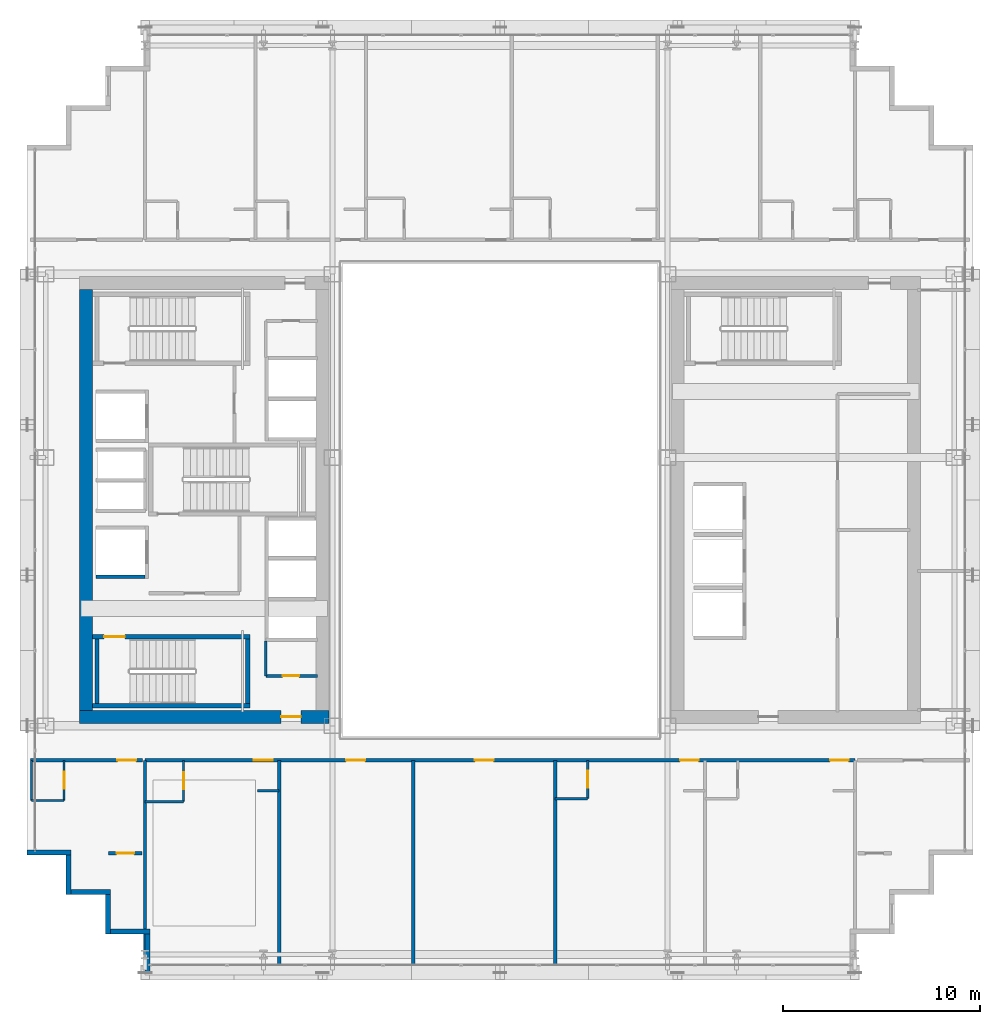
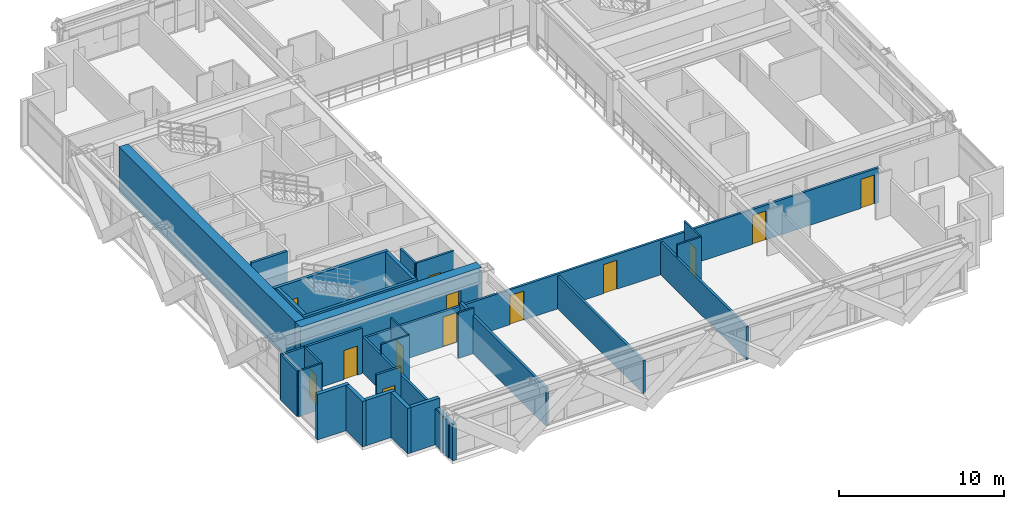
# One storey, part 27 of 35: 30 walls, 13 doors, 13 openings.
"""IFC4 building model written with IfcOpenShell, lengths in metres."""

import ifcopenshell
import ifcopenshell.guid

model = None  # the IFC model being written
_history = None  # IfcOwnerHistory: only IFC2X3 demands one
_inside = {}  # id of a spatial element -> (the spatial element, [elements in it])
_under = {}  # id of a project, library or spatial element -> (it, [spatial elements below it])
_declared = {}  # id of a project -> (the project, [libraries it declares])
_typed = {}  # id of a type object -> (the type object, [elements of that type])
_made_of = {}  # id of a material, layer set ... -> (it, [elements and type objects made of it])


def new_model(schema):
    """Start an empty IFC model of exactly this schema.

    Asked for "IFC4X3", IfcOpenShell would pick the latest addendum, in which some entities
    have other attributes; the version numbers below select the first issue.
    IFC2X3 requires an IfcOwnerHistory on every rooted entity: one is made here for all.
    """
    global model, _history
    if schema == "IFC4X3":
        model = ifcopenshell.file(schema_version=(4, 3, 0, 0))
    else:
        model = ifcopenshell.file(schema=schema)
    _inside.clear()
    _under.clear()
    _declared.clear()
    _typed.clear()
    _made_of.clear()
    _history = None
    if model.schema == "IFC2X3":
        org = make("IfcOrganization", Name="unknown")
        user = make(
            "IfcPersonAndOrganization",
            ThePerson=make("IfcPerson", FamilyName="unknown"),
            TheOrganization=org,
        )
        app = make(
            "IfcApplication",
            ApplicationDeveloper=org,
            Version="unknown",
            ApplicationFullName="unknown",
            ApplicationIdentifier="unknown",
        )
        _history = make(
            "IfcOwnerHistory",
            OwningUser=user,
            OwningApplication=app,
            ChangeAction="ADDED",
            CreationDate=0,
        )
    return model


def make(cls, **values):
    """One entity of the class cls with the attributes given. An attribute that is None is left unset."""
    return model.create_entity(
        cls, **{name: value for name, value in values.items() if value is not None}
    )


def rooted(cls, **values):
    """An entity with a GlobalId (a new one), such as an element, a storey or a relation."""
    return make(cls, GlobalId=ifcopenshell.guid.new(), OwnerHistory=_history, **values)


def si_unit(unit_type, name, prefix=None):
    """IfcSIUnit, for example si_unit("LENGTHUNIT", "METRE", prefix="MILLI")."""
    return make("IfcSIUnit", UnitType=unit_type, Prefix=prefix, Name=name)


def assignment(units):
    """IfcUnitAssignment: the units of a project."""
    return None if units is None else make("IfcUnitAssignment", Units=units)


def point(xyz):
    """IfcCartesianPoint."""
    return None if xyz is None else make("IfcCartesianPoint", Coordinates=xyz)


def direction(xyz):
    """IfcDirection."""
    return None if xyz is None else make("IfcDirection", DirectionRatios=xyz)


def frame(location, z_axis=None, x_axis=None):
    """IfcAxis2Placement3D, a coordinate frame: its origin and axes. An axis left out is left unset."""
    return make(
        "IfcAxis2Placement3D",
        Location=point(location),
        Axis=direction(z_axis),
        RefDirection=direction(x_axis),
    )


def frame_2d(location, x_axis=None):
    """IfcAxis2Placement2D, a coordinate frame in the plane: its origin and x axis."""
    return make(
        "IfcAxis2Placement2D", Location=point(location), RefDirection=direction(x_axis)
    )


def origin():
    """The frame at (0, 0, 0) with its axes left unset."""
    return frame((0.0, 0.0, 0.0))


def place(relative_to, where):
    """IfcLocalPlacement: puts the frame where relative to a parent placement (None: the world)."""
    return make(
        "IfcLocalPlacement", PlacementRelTo=relative_to, RelativePlacement=where
    )


def context(
    kind, dimensions, precision=None, world=None, true_north=None, identifier=None
):
    """IfcGeometricRepresentationContext, for example the 3D "Model" context."""
    return make(
        "IfcGeometricRepresentationContext",
        ContextIdentifier=identifier,
        ContextType=kind,
        CoordinateSpaceDimension=dimensions,
        Precision=precision,
        WorldCoordinateSystem=world,
        TrueNorth=true_north,
    )


def subcontext(parent, identifier, kind, view, scale=None):
    """IfcGeometricRepresentationSubContext, for example "Body" below "Model"."""
    return make(
        "IfcGeometricRepresentationSubContext",
        ContextIdentifier=identifier,
        ContextType=kind,
        ParentContext=parent,
        TargetScale=scale,
        TargetView=view,
    )


def project(units=None, contexts=None):
    """IfcProject with its units and contexts."""
    return rooted(
        "IfcProject",
        Name="project",
        RepresentationContexts=contexts,
        UnitsInContext=assignment(units),
    )


def spatial(cls, under=None, at=None, **own):
    """A site, building, storey or space (cls), placed at a placement, below another one or the project."""
    s = rooted(cls, ObjectPlacement=at, **own)
    if under is not None:
        _under.setdefault(under.id(), (under, []))[1].append(s)
    return s


def profile(cls, at=None, kind="AREA", **sizes):
    """A parametric profile (cls). Its sizes go by their IFC names, for example OverallWidth=200.0."""
    return make(cls, ProfileType=kind, Position=at, **sizes)


def rectangle(**sizes):
    """IfcRectangleProfileDef."""
    return profile("IfcRectangleProfileDef", **sizes)


def extrude(swept, where, along, depth):
    """IfcExtrudedAreaSolid: the profile swept, set in the frame where, extruded along a direction by depth."""
    return make(
        "IfcExtrudedAreaSolid",
        SweptArea=swept,
        Position=where,
        ExtrudedDirection=direction(along),
        Depth=depth,
    )


def shape(context_of_items, identifier, shape_type, items):
    """IfcShapeRepresentation: the items that make up one representation, for example the "Body"."""
    return make(
        "IfcShapeRepresentation",
        ContextOfItems=context_of_items,
        RepresentationIdentifier=identifier,
        RepresentationType=shape_type,
        Items=items,
    )


def source(mapping_origin, context_of_items, identifier, shape_type, items):
    """IfcRepresentationMap: a shape defined once, which mapped items show again and again."""
    return make(
        "IfcRepresentationMap",
        MappingOrigin=mapping_origin,
        MappedRepresentation=shape(context_of_items, identifier, shape_type, items),
    )


def transform(
    local_origin,
    x_axis=None,
    y_axis=None,
    z_axis=None,
    scale=None,
    scale2=None,
    scale3=None,
    uniform=True,
):
    """IfcCartesianTransformationOperator3D, or its non-uniform kind. x_axis, y_axis, z_axis: its Axis1, 2, 3."""
    if uniform:
        return make(
            "IfcCartesianTransformationOperator3D",
            Axis1=direction(x_axis),
            Axis2=direction(y_axis),
            LocalOrigin=point(local_origin),
            Scale=scale,
            Axis3=direction(z_axis),
        )
    return make(
        "IfcCartesianTransformationOperator3DnonUniform",
        Axis1=direction(x_axis),
        Axis2=direction(y_axis),
        LocalOrigin=point(local_origin),
        Scale=scale,
        Axis3=direction(z_axis),
        Scale2=scale2,
        Scale3=scale3,
    )


def mapped(mapping_source, mapping_target):
    """IfcMappedItem: shows the shape of a source again, moved by a transform."""
    return make(
        "IfcMappedItem", MappingSource=mapping_source, MappingTarget=mapping_target
    )


def material(Name=None, Category=None):
    """IfcMaterial."""
    return make("IfcMaterial", Name=Name, Category=Category)


def layer(
    of_material, thickness, ventilated=None, Name=None, Category=None, Priority=None
):
    """IfcMaterialLayer: one layer of a wall or slab, of a material (None: an air gap)."""
    return make(
        "IfcMaterialLayer",
        Material=of_material,
        LayerThickness=thickness,
        IsVentilated=ventilated,
        Name=Name,
        Category=Category,
        Priority=Priority,
    )


def layer_set(layers, Name=None):
    """IfcMaterialLayerSet."""
    return make("IfcMaterialLayerSet", MaterialLayers=layers, LayerSetName=Name)


def made_of(thing, what):
    """Note that an element or type object is made of a material, layer set ...; save() writes the relation."""
    if what is not None:
        _made_of.setdefault(what.id(), (what, []))[1].append(thing)
    return thing


def type_object(cls, material=None, **own):
    """A type object (cls), such as IfcWallType, which elements share."""
    return made_of(rooted(cls, **own), material)


def element(
    cls,
    number,
    at=None,
    inside=None,
    cuts=None,
    type_object=None,
    material=None,
    context=None,
    identifier="Body",
    shape_type=None,
    held_by="IfcProductDefinitionShape",
    body=None,
    shapes=None,
    **own,
):
    """One element of the class cls, such as IfcWall. Its Tag is "e" and its number.

    at: its placement. inside: the storey or other place that contains it. cuts: it is an
    opening in that element (IfcRelVoidsElement). A single representation is given by context,
    identifier, shape_type and body (its items); several are given by shapes. held_by: the class
    of the entity that holds the representations. save() writes the other relations.
    """
    e = rooted(cls, Tag="e%d" % number, ObjectPlacement=at, **own)
    if body is not None:
        shapes = [shape(context, identifier, shape_type, body)]
    if shapes is not None:
        e.Representation = make(held_by, Representations=shapes)
    if inside is not None:
        _inside.setdefault(inside.id(), (inside, []))[1].append(e)
    if cuts is not None:
        rooted(
            "IfcRelVoidsElement", RelatingBuildingElement=cuts, RelatedOpeningElement=e
        )
    if type_object is not None:
        _typed.setdefault(type_object.id(), (type_object, []))[1].append(e)
    return made_of(e, material)


def fill(opening, filler):
    """IfcRelFillsElement: the door or window that sits in an opening."""
    return rooted(
        "IfcRelFillsElement",
        RelatingOpeningElement=opening,
        RelatedBuildingElement=filler,
    )


def aggregate(whole, parts):
    """IfcRelAggregates: a whole, such as a stair, and the parts it consists of."""
    return rooted("IfcRelAggregates", RelatingObject=whole, RelatedObjects=parts)


def save(model, path):
    """Write the relations noted so far, then the file.

    IfcRelAggregates (storeys below a building ...), IfcRelContainedInSpatialStructure (elements
    in a storey), IfcRelDefinesByType, IfcRelAssociatesMaterial and IfcRelDeclares: one each for
    every whole, place, type object, material and project.
    """
    for whole, parts in _under.values():
        aggregate(whole, parts)
    for where, things in _inside.values():
        rooted(
            "IfcRelContainedInSpatialStructure",
            RelatedElements=things,
            RelatingStructure=where,
        )
    for kind, things in _typed.values():
        rooted("IfcRelDefinesByType", RelatedObjects=things, RelatingType=kind)
    for what, things in _made_of.values():
        rooted("IfcRelAssociatesMaterial", RelatedObjects=things, RelatingMaterial=what)
    for by, libraries in _declared.values():
        rooted("IfcRelDeclares", RelatingContext=by, RelatedDefinitions=libraries)
    model.write(path)


model = new_model("IFC4")

# Units and contexts
model_context = context("Model", 3, precision=1e-05, world=origin(), true_north=direction((0.0, 1.0)))
body_context = subcontext(model_context, "Body", "Model", "MODEL_VIEW")
ifc_project = project(units=[si_unit("LENGTHUNIT", "METRE"), si_unit("AREAUNIT", "SQUARE_METRE"), si_unit("VOLUMEUNIT", "CUBIC_METRE"), si_unit("PLANEANGLEUNIT", "RADIAN"), si_unit("MASSUNIT", "GRAM", prefix="KILO")], contexts=[model_context])

# Site, building, storey
site_placement = place(None, origin())
site = spatial("IfcSite", under=ifc_project, at=site_placement, CompositionType="ELEMENT")
building_placement = place(site_placement, origin())
building = spatial("IfcBuilding", under=site, at=building_placement, Name="Ocotamira Hotel", CompositionType="ELEMENT")
storey_placement = place(building_placement, frame((0.0, 0.0, 144.0)))
storey = spatial("IfcBuildingStorey", under=building, at=storey_placement, Name="L36", CompositionType="ELEMENT", Elevation=144.0)

# Wall, opening, door
ifc_material_1 = material(Name="Concrete C60/75", Category="concrete")
ifc_layer_1 = layer(ifc_material_1, 0.64990234375)
ifc_layer_set_1 = layer_set([ifc_layer_1], Name="Concrete C60/75")
wall_type_1 = type_object("IfcWallType", Name="WL-CORE-650", PredefinedType="SHEAR", material=ifc_layer_set_1)
wall_1_placement = place(storey_placement, frame((10.675048828125, 15.0, 0.0), z_axis=(0.0, 0.0, 1.0), x_axis=(1.0, 0.0, 0.0)))
wall_1 = element("IfcWall", 1, at=wall_1_placement, inside=storey, type_object=wall_type_1, Name="L36 Shear Core Wall WCORE-S", PredefinedType="SHEAR", context=body_context, shape_type="SweptSolid", body=[
    extrude(rectangle(XDim=12.64990234375, YDim=0.64990234375, at=frame_2d((6.324951171875, 0.0))), origin(), (0.0, 0.0, 1.0), 3.360107421875),
])
opening_1_placement = place(wall_1_placement, frame((10.22509765625, 0.0, 0.0)))
opening_1 = element("IfcOpeningElement", 2, at=opening_1_placement, cuts=wall_1, Name="Opening D-FR2", PredefinedType="OPENING", context=body_context, shape_type="SweptSolid", body=[
    extrude(rectangle(XDim=1.0, YDim=2.14990234375, at=frame_2d((0.5, 1.074951171875))), frame((0.0, 0.3349609375, 0.0), z_axis=(0.0, -1.0, 0.0), x_axis=(1.0, 0.0, 0.0)), (0.0, 0.0, 1.0), 0.669921875),
])
ifc_material_2 = material(Name="Fire-rated acoustic timber-veneer door", Category="wood")
door_type_1 = type_object("IfcDoorType", Name="DR-FIRE-1000", OperationType="NOTDEFINED", PredefinedType="DOOR", material=ifc_material_2)
shared_shape_1 = source(origin(), body_context, "Body", "SweptSolid", [
    extrude(rectangle(XDim=1.0, YDim=2.14990234375, at=frame_2d((0.5, 1.074951171875))), frame((0.0, 0.02490234375, 0.0), z_axis=(0.0, -1.0, 0.0), x_axis=(1.0, 0.0, 0.0)), (0.0, 0.0, 1.0), 0.050048828125),
])
door_1_placement = place(opening_1_placement, origin())
door_1 = element("IfcDoor", 3, at=door_1_placement, inside=storey, type_object=door_type_1, Name="L36 Door ID-L36-WLOB-S-D [ID-L36-WLOB-S-D]", OperationType="SINGLE_SWING_LEFT", OverallHeight=2.14990234375, OverallWidth=1.0, PredefinedType="DOOR", context=body_context, shape_type="MappedRepresentation", body=[
    mapped(shared_shape_1, transform((0.0, 0.0, 0.0), scale=1.0)),
])
fill(opening_1, door_1)

# Walls
wall_2_placement = place(storey_placement, frame((11.0, 15.324951171875, 0.0), z_axis=(0.0, 0.0, 1.0), x_axis=(0.0, 1.0, 0.0)))
element("IfcWall", 4, at=wall_2_placement, inside=storey, type_object=wall_type_1, Name="L36 Shear Core Wall WCORE-W", PredefinedType="SHEAR", context=body_context, shape_type="SweptSolid", body=[
    extrude(rectangle(XDim=21.35009765625, YDim=0.64990234375, at=frame_2d((10.675048828125, 0.0))), origin(), (0.0, 0.0, 1.0), 3.360107421875),
])
ifc_material_3 = material(Name="Precast concrete C45/55", Category="concrete")
ifc_layer_2 = layer(ifc_material_3, 0.25)
ifc_layer_set_2 = layer_set([ifc_layer_2], Name="Precast concrete C45/55")
wall_type_2 = type_object("IfcWallType", Name="WL-EXT-SER-250", PredefinedType="SOLIDWALL", material=ifc_layer_set_2)
wall_3_placement = place(storey_placement, frame((8.0, 8.125, 0.0), z_axis=(0.0, 0.0, 1.0), x_axis=(1.0, 0.0, 0.0)))
element("IfcWall", 5, at=wall_3_placement, inside=storey, type_object=wall_type_2, Name="L36 Serrated Corner Wall 19", PredefinedType="SOLIDWALL", context=body_context, shape_type="SweptSolid", body=[
    extrude(rectangle(XDim=2.25, YDim=0.25, at=frame_2d((1.125, 0.0))), origin(), (0.0, 0.0, 1.0), 3.360107421875),
])
for number, where, z_axis, x_axis, name in (
    (6, (10.125, 8.0, 0.0), (0.0, 0.0, 1.0), (0.0, -1.0, 0.0), "L36 Serrated Corner Wall 20"),
    (7, (10.25, 6.125, 0.0), (0.0, 0.0, 1.0), (1.0, 0.0, 0.0), "L36 Serrated Corner Wall 21"),
    (8, (12.125, 6.0, 0.0), (0.0, 0.0, 1.0), (0.0, -1.0, 0.0), "L36 Serrated Corner Wall 22"),
    (9, (12.25, 4.125, 0.0), (0.0, 0.0, 1.0), (1.0, 0.0, 0.0), "L36 Serrated Corner Wall 23"),
):
    element("IfcWall", number, at=place(storey_placement, frame(where, z_axis=z_axis, x_axis=x_axis)), inside=storey, type_object=wall_type_2, Name=name, PredefinedType="SOLIDWALL", context=body_context, shape_type="SweptSolid", body=[
        extrude(rectangle(XDim=2.0, YDim=0.25, at=frame_2d((1.0, 0.0))), origin(), (0.0, 0.0, 1.0), 3.360107421875),
    ])
wall_4_placement = place(storey_placement, frame((14.125, 4.0, 0.0), z_axis=(0.0, 0.0, 1.0), x_axis=(0.0, -1.0, 0.0)))
element("IfcWall", 10, at=wall_4_placement, inside=storey, type_object=wall_type_2, Name="L36 Serrated Corner Wall 24", PredefinedType="SOLIDWALL", context=body_context, shape_type="SweptSolid", body=[
    extrude(rectangle(XDim=2.0, YDim=0.25, at=frame_2d((1.0, 0.0))), origin(), (0.0, 0.0, 1.0), 2.6669921875),
])

# Wall, opening, door
ifc_material_4 = material(Name="Acoustic double-layer fire gypsum board partition", Category="gypsum")
ifc_layer_3 = layer(ifc_material_4, 0.159912109375)
ifc_layer_set_3 = layer_set([ifc_layer_3], Name="Acoustic double-layer fire gypsum board partition")
wall_type_3 = type_object("IfcWallType", Name="WL-FIRE-160", PredefinedType="PARTITIONING", material=ifc_layer_set_3)
wall_5_placement = place(storey_placement, frame((8.199951171875, 12.800048828125, 0.0), z_axis=(0.0, 0.0, 1.0), x_axis=(1.0, 0.0, 0.0)))
wall_5 = element("IfcWall", 11, at=wall_5_placement, inside=storey, type_object=wall_type_3, Name="L36 Interior Wall PW-L36-Z2E-CSW-CW", PredefinedType="PARTITIONING", context=body_context, shape_type="SweptSolid", body=[
    extrude(rectangle(XDim=5.679931640625, YDim=0.159912109375, at=frame_2d((2.83984375, 0.0))), origin(), (0.0, 0.0, 1.0), 3.360107421875),
])
opening_2_placement = place(wall_5_placement, frame((4.39990234375, 0.0, 0.0)))
opening_2 = element("IfcOpeningElement", 12, at=opening_2_placement, cuts=wall_5, Name="Opening D-GR1", PredefinedType="OPENING", context=body_context, shape_type="SweptSolid", body=[
    extrude(rectangle(XDim=0.93994140625, YDim=2.14990234375, at=frame_2d((0.469970703125, 1.074951171875))), frame((0.0, 0.08984375, 0.0), z_axis=(0.0, -1.0, 0.0), x_axis=(1.0, 0.0, 0.0)), (0.0, 0.0, 1.0), 0.179931640625),
])
ifc_material_5 = material(Name="Solid-core walnut suite entrance fire door", Category="wood")
door_type_2 = type_object("IfcDoorType", Name="DR-GUEST-940", OperationType="NOTDEFINED", PredefinedType="DOOR", material=ifc_material_5)
shared_shape_2 = source(origin(), body_context, "Body", "SweptSolid", [
    extrude(rectangle(XDim=0.93994140625, YDim=2.14990234375, at=frame_2d((0.469970703125, 1.074951171875))), frame((0.0, 0.02490234375, 0.0), z_axis=(0.0, -1.0, 0.0), x_axis=(1.0, 0.0, 0.0)), (0.0, 0.0, 1.0), 0.050048828125),
])
door_2_placement = place(opening_2_placement, origin())
door_2 = element("IfcDoor", 13, at=door_2_placement, inside=storey, type_object=door_type_2, Name="L36 Door ID-L36-Z2E-CSW-CD [ID-L36-Z2E-CSW-CD]", OperationType="SINGLE_SWING_RIGHT", OverallHeight=2.14990234375, OverallWidth=0.93994140625, PredefinedType="DOOR", context=body_context, shape_type="MappedRepresentation", body=[
    mapped(shared_shape_2, transform((0.0, 0.0, 0.0), scale=1.0)),
])
fill(opening_2, door_2)

wall_6_placement = place(storey_placement, frame((12.14990234375, 8.080078125, 0.0), z_axis=(0.0, 0.0, 1.0), x_axis=(1.0, 0.0, 0.0)))
wall_6 = element("IfcWall", 14, at=wall_6_placement, inside=storey, type_object=wall_type_3, Name="L36 Interior Wall PW-L36-Z2E-CSW2-CW", PredefinedType="PARTITIONING", context=body_context, shape_type="SweptSolid", body=[
    extrude(rectangle(XDim=1.7001953125, YDim=0.159912109375, at=frame_2d((0.85009765625, 0.0))), origin(), (0.0, 0.0, 1.0), 3.360107421875),
])
opening_3_placement = place(wall_6_placement, frame((0.409912109375, 0.0, 0.0)))
opening_3 = element("IfcOpeningElement", 15, at=opening_3_placement, cuts=wall_6, Name="Opening D-SV2", PredefinedType="OPENING", context=body_context, shape_type="SweptSolid", body=[
    extrude(rectangle(XDim=0.8798828125, YDim=2.14990234375, at=frame_2d((0.43994140625, 1.074951171875))), frame((0.0, 0.08984375, 0.0), z_axis=(0.0, -1.0, 0.0), x_axis=(1.0, 0.0, 0.0)), (0.0, 0.0, 1.0), 0.179931640625),
])
ifc_material_6 = material(Name="Fire-rated painted steel service door", Category="steel")
door_type_3 = type_object("IfcDoorType", Name="DR-SERV-880", OperationType="NOTDEFINED", PredefinedType="DOOR", material=ifc_material_6)
shared_shape_3 = source(origin(), body_context, "Body", "SweptSolid", [
    extrude(rectangle(XDim=0.8798828125, YDim=2.14990234375, at=frame_2d((0.43994140625, 1.074951171875))), frame((0.0, 0.02490234375, 0.0), z_axis=(0.0, -1.0, 0.0), x_axis=(1.0, 0.0, 0.0)), (0.0, 0.0, 1.0), 0.050048828125),
])
door_3_placement = place(opening_3_placement, origin())
door_3 = element("IfcDoor", 16, at=door_3_placement, inside=storey, type_object=door_type_3, Name="L36 Door ID-L36-Z2E-CSW2-CD [ID-L36-Z2E-CSW2-CD]", OperationType="SINGLE_SWING_LEFT", OverallHeight=2.14990234375, OverallWidth=0.8798828125, PredefinedType="DOOR", context=body_context, shape_type="MappedRepresentation", body=[
    mapped(shared_shape_3, transform((0.0, 0.0, 0.0), scale=1.0)),
])
fill(opening_3, door_3)

# Wall, openings, doors
wall_7_placement = place(storey_placement, frame((14.0, 12.800048828125, 0.0), z_axis=(0.0, 0.0, 1.0), x_axis=(1.0, 0.0, 0.0)))
wall_7 = element("IfcWall", 17, at=wall_7_placement, inside=storey, type_object=wall_type_3, Name="L36 Interior Wall PW-L36-Z2ES-CORRW", PredefinedType="PARTITIONING", context=body_context, shape_type="SweptSolid", body=[
    extrude(rectangle(XDim=36.0, YDim=0.159912109375, at=frame_2d((18.0, 0.0))), origin(), (0.0, 0.0, 1.0), 2.5810546875),
])
opening_4_placement = place(wall_7_placement, frame((5.5, 0.0, 0.0)))
opening_4 = element("IfcOpeningElement", 18, at=opening_4_placement, cuts=wall_7, Name="Opening D-GR2", PredefinedType="OPENING", context=body_context, shape_type="SweptSolid", body=[
    extrude(rectangle(XDim=0.97998046875, YDim=2.199951171875, at=frame_2d((0.489990234375, 1.10009765625))), frame((0.0, 0.08984375, 0.0), z_axis=(0.0, -1.0, 0.0), x_axis=(1.0, 0.0, 0.0)), (0.0, 0.0, 1.0), 0.179931640625),
])
opening_5_placement = place(wall_7_placement, frame((10.199951171875, 0.0, 0.0)))
opening_5 = element("IfcOpeningElement", 19, at=opening_5_placement, cuts=wall_7, Name="Opening D-SV4", PredefinedType="OPENING", context=body_context, shape_type="SweptSolid", body=[
    extrude(rectangle(XDim=0.9599609375, YDim=2.14990234375, at=frame_2d((0.47998046875, 1.074951171875))), frame((0.0, 0.08984375, 0.0), z_axis=(0.0, -1.0, 0.0), x_axis=(1.0, 0.0, 0.0)), (0.0, 0.0, 1.0), 0.179931640625),
])
opening_6_placement = place(wall_7_placement, frame((16.719970703125, 0.0, 0.0)))
opening_6 = element("IfcOpeningElement", 20, at=opening_6_placement, cuts=wall_7, Name="Opening D-SV4", PredefinedType="OPENING", context=body_context, shape_type="SweptSolid", body=[
    extrude(rectangle(XDim=0.9599609375, YDim=2.14990234375, at=frame_2d((0.47998046875, 1.074951171875))), frame((0.0, 0.08984375, 0.0), z_axis=(0.0, -1.0, 0.0), x_axis=(1.0, 0.0, 0.0)), (0.0, 0.0, 1.0), 0.179931640625),
])
opening_7_placement = place(wall_7_placement, frame((27.139892578125, 0.0, 0.0)))
opening_7 = element("IfcOpeningElement", 21, at=opening_7_placement, cuts=wall_7, Name="Opening D-GR1", PredefinedType="OPENING", context=body_context, shape_type="SweptSolid", body=[
    extrude(rectangle(XDim=0.93994140625, YDim=2.14990234375, at=frame_2d((0.469970703125, 1.074951171875))), frame((0.0, 0.08984375, 0.0), z_axis=(0.0, -1.0, 0.0), x_axis=(1.0, 0.0, 0.0)), (0.0, 0.0, 1.0), 0.179931640625),
])
opening_8_placement = place(wall_7_placement, frame((34.739990234375, 0.0, 0.0)))
opening_8 = element("IfcOpeningElement", 22, at=opening_8_placement, cuts=wall_7, Name="Opening D-GR1", PredefinedType="OPENING", context=body_context, shape_type="SweptSolid", body=[
    extrude(rectangle(XDim=0.93994140625, YDim=2.14990234375, at=frame_2d((0.469970703125, 1.074951171875))), frame((0.0, 0.08984375, 0.0), z_axis=(0.0, -1.0, 0.0), x_axis=(1.0, 0.0, 0.0)), (0.0, 0.0, 1.0), 0.179931640625),
])
ifc_material_7 = material(Name="Fire-rated accessible walnut salon door", Category="wood")
door_type_4 = type_object("IfcDoorType", Name="DR-SERV-960", OperationType="NOTDEFINED", PredefinedType="DOOR", material=ifc_material_7)
shared_shape_4 = source(origin(), body_context, "Body", "SweptSolid", [
    extrude(rectangle(XDim=0.9599609375, YDim=2.14990234375, at=frame_2d((0.47998046875, 1.074951171875))), frame((0.0, 0.02490234375, 0.0), z_axis=(0.0, -1.0, 0.0), x_axis=(1.0, 0.0, 0.0)), (0.0, 0.0, 1.0), 0.050048828125),
])
door_4_placement = place(opening_5_placement, origin())
door_4 = element("IfcDoor", 23, at=door_4_placement, inside=storey, type_object=door_type_4, Name="L36 Door ID-L36-Z2ES-AMD2 [ID-L36-Z2ES-AMD2]", OperationType="SINGLE_SWING_RIGHT", OverallHeight=2.14990234375, OverallWidth=0.9599609375, PredefinedType="DOOR", context=body_context, shape_type="MappedRepresentation", body=[
    mapped(shared_shape_4, transform((0.0, 0.0, 0.0), scale=1.0)),
])
fill(opening_5, door_4)
door_5_placement = place(opening_6_placement, origin())
door_5 = element("IfcDoor", 24, at=door_5_placement, inside=storey, type_object=door_type_4, Name="L36 Door ID-L36-Z2ES-AMD3 [ID-L36-Z2ES-AMD3]", OperationType="SINGLE_SWING_LEFT", OverallHeight=2.14990234375, OverallWidth=0.9599609375, PredefinedType="DOOR", context=body_context, shape_type="MappedRepresentation", body=[
    mapped(shared_shape_4, transform((0.0, 0.0, 0.0), scale=1.0)),
])
fill(opening_6, door_5)
door_6_placement = place(opening_7_placement, origin())
door_6 = element("IfcDoor", 25, at=door_6_placement, inside=storey, type_object=door_type_2, Name="L36 Door ID-L36-Z2ES-RMD4 [ID-L36-Z2ES-RMD4]", OperationType="SINGLE_SWING_RIGHT", OverallHeight=2.14990234375, OverallWidth=0.93994140625, PredefinedType="DOOR", context=body_context, shape_type="MappedRepresentation", body=[
    mapped(shared_shape_2, transform((0.0, 0.0, 0.0), scale=1.0)),
])
fill(opening_7, door_6)
door_7_placement = place(opening_8_placement, origin())
door_7 = element("IfcDoor", 26, at=door_7_placement, inside=storey, type_object=door_type_2, Name="L36 Door ID-L36-Z2ES-RMD5 [ID-L36-Z2ES-RMD5]", OperationType="SINGLE_SWING_LEFT", OverallHeight=2.14990234375, OverallWidth=0.93994140625, PredefinedType="DOOR", context=body_context, shape_type="MappedRepresentation", body=[
    mapped(shared_shape_2, transform((0.0, 0.0, 0.0), scale=1.0)),
])
fill(opening_8, door_7)
ifc_material_8 = material(Name="Solid-core walnut grand-suite entrance fire door", Category="wood")
door_type_5 = type_object("IfcDoorType", Name="DR-GUEST-980", OperationType="NOTDEFINED", PredefinedType="DOOR", material=ifc_material_8)
shared_shape_5 = source(origin(), body_context, "Body", "SweptSolid", [
    extrude(rectangle(XDim=0.97998046875, YDim=2.199951171875, at=frame_2d((0.489990234375, 1.10009765625))), frame((0.0, 0.02490234375, 0.0), z_axis=(0.0, -1.0, 0.0), x_axis=(1.0, 0.0, 0.0)), (0.0, 0.0, 1.0), 0.050048828125),
])
door_8_placement = place(opening_4_placement, origin())
door_8 = element("IfcDoor", 27, at=door_8_placement, inside=storey, type_object=door_type_5, Name="L36 Door ID-L36-Z2ES-RMD1 [ID-L36-Z2ES-RMD1]", OperationType="SINGLE_SWING_LEFT", OverallHeight=2.199951171875, OverallWidth=0.97998046875, PredefinedType="DOOR", context=body_context, shape_type="MappedRepresentation", body=[
    mapped(shared_shape_5, transform((0.0, 0.0, 0.0), scale=1.0)),
])
fill(opening_4, door_8)

# Wall, opening, door
ifc_material_9 = material(Name="Moisture-resistant en-suite tile and gypsum partition", Category="gypsum")
ifc_layer_4 = layer(ifc_material_9, 0.1201171875)
ifc_layer_set_4 = layer_set([ifc_layer_4], Name="Moisture-resistant en-suite tile and gypsum partition")
wall_type_4 = type_object("IfcWallType", Name="WL-PART-120", PredefinedType="PARTITIONING", material=ifc_layer_set_4)
wall_8_placement = place(storey_placement, frame((9.889892578125, 10.760009765625, 0.0), z_axis=(0.0, 0.0, 1.0), x_axis=(0.0, 1.0, 0.0)))
wall_8 = element("IfcWall", 28, at=wall_8_placement, inside=storey, type_object=wall_type_4, Name="L36 Interior Wall PW-L36-Z2E-CSW-BE", PredefinedType="PARTITIONING", context=body_context, shape_type="SweptSolid", body=[
    extrude(rectangle(XDim=2.0400390625, YDim=0.1201171875, at=frame_2d((1.02001953125, 0.0))), origin(), (0.0, 0.0, 1.0), 3.360107421875),
])
opening_9_placement = place(wall_8_placement, frame((0.590087890625, 0.0, 0.0)))
opening_9 = element("IfcOpeningElement", 29, at=opening_9_placement, cuts=wall_8, Name="Opening D-BA1", PredefinedType="OPENING", context=body_context, shape_type="SweptSolid", body=[
    extrude(rectangle(XDim=0.860107421875, YDim=2.10009765625, at=frame_2d((0.43017578125, 1.050048828125))), frame((0.0, 0.070068359375, 0.0), z_axis=(0.0, -1.0, 0.0), x_axis=(1.0, 0.0, 0.0)), (0.0, 0.0, 1.0), 0.14013671875),
])
ifc_material_10 = material(Name="Moisture-sealed en-suite timber door", Category="wood")
door_type_6 = type_object("IfcDoorType", Name="DR-BATH-860", OperationType="NOTDEFINED", PredefinedType="DOOR", material=ifc_material_10)
shared_shape_6 = source(origin(), body_context, "Body", "SweptSolid", [
    extrude(rectangle(XDim=0.860107421875, YDim=2.10009765625, at=frame_2d((0.43017578125, 1.050048828125))), frame((0.0, 0.02490234375, 0.0), z_axis=(0.0, -1.0, 0.0), x_axis=(1.0, 0.0, 0.0)), (0.0, 0.0, 1.0), 0.050048828125),
])
door_9_placement = place(opening_9_placement, origin())
door_9 = element("IfcDoor", 30, at=door_9_placement, inside=storey, type_object=door_type_6, Name="L36 Door ID-L36-Z2E-CSW-BD [ID-L36-Z2E-CSW-BD]", OperationType="SINGLE_SWING_LEFT", OverallHeight=2.10009765625, OverallWidth=0.860107421875, PredefinedType="DOOR", context=body_context, shape_type="MappedRepresentation", body=[
    mapped(shared_shape_6, transform((0.0, 0.0, 0.0), scale=1.0)),
])
fill(opening_9, door_9)

# Walls
wall_9_placement = place(storey_placement, frame((8.239990234375, 10.760009765625, 0.0), z_axis=(0.0, 0.0, 1.0), x_axis=(0.0, 1.0, 0.0)))
element("IfcWall", 31, at=wall_9_placement, inside=storey, type_object=wall_type_4, Name="L36 Interior Wall PW-L36-Z2E-CSW-BW", PredefinedType="PARTITIONING", context=body_context, shape_type="SweptSolid", body=[
    extrude(rectangle(XDim=2.0400390625, YDim=0.1201171875, at=frame_2d((1.02001953125, 0.0))), origin(), (0.0, 0.0, 1.0), 3.360107421875),
])
wall_10_placement = place(storey_placement, frame((8.239990234375, 10.760009765625, 0.0), z_axis=(0.0, 0.0, 1.0), x_axis=(1.0, 0.0, 0.0)))
element("IfcWall", 32, at=wall_10_placement, inside=storey, type_object=wall_type_4, Name="L36 Interior Wall PW-L36-Z2E-CSW-BH", PredefinedType="PARTITIONING", context=body_context, shape_type="SweptSolid", body=[
    extrude(rectangle(XDim=1.64990234375, YDim=0.1201171875, at=frame_2d((0.824951171875, 0.0))), origin(), (0.0, 0.0, 1.0), 3.360107421875),
])

# Wall, opening, door
wall_11_placement = place(storey_placement, frame((15.949951171875, 10.699951171875, 0.0), z_axis=(0.0, 0.0, 1.0), x_axis=(0.0, 1.0, 0.0)))
wall_11 = element("IfcWall", 33, at=wall_11_placement, inside=storey, type_object=wall_type_4, Name="L36 Interior Wall PW-L36-Z2ES-BAE1", PredefinedType="PARTITIONING", context=body_context, shape_type="SweptSolid", body=[
    extrude(rectangle(XDim=2.10009765625, YDim=0.1201171875, at=frame_2d((1.050048828125, 0.0))), origin(), (0.0, 0.0, 1.0), 3.360107421875),
])
opening_10_placement = place(wall_11_placement, frame((0.6201171875, 0.0, 0.0)))
opening_10 = element("IfcOpeningElement", 34, at=opening_10_placement, cuts=wall_11, Name="Opening D-BA1", PredefinedType="OPENING", context=body_context, shape_type="SweptSolid", body=[
    extrude(rectangle(XDim=0.860107421875, YDim=2.10009765625, at=frame_2d((0.43017578125, 1.050048828125))), frame((0.0, 0.070068359375, 0.0), z_axis=(0.0, -1.0, 0.0), x_axis=(1.0, 0.0, 0.0)), (0.0, 0.0, 1.0), 0.14013671875),
])
door_10_placement = place(opening_10_placement, origin())
door_10 = element("IfcDoor", 35, at=door_10_placement, inside=storey, type_object=door_type_6, Name="L36 Door ID-L36-Z2ES-BAD1 [ID-L36-Z2ES-BAD1]", OperationType="SINGLE_SWING_RIGHT", OverallHeight=2.10009765625, OverallWidth=0.860107421875, PredefinedType="DOOR", context=body_context, shape_type="MappedRepresentation", body=[
    mapped(shared_shape_6, transform((0.0, 0.0, 0.0), scale=1.0)),
])
fill(opening_10, door_10)

# Walls
wall_12_placement = place(storey_placement, frame((14.0, 10.699951171875, 0.0), z_axis=(0.0, 0.0, 1.0), x_axis=(1.0, 0.0, 0.0)))
element("IfcWall", 36, at=wall_12_placement, inside=storey, type_object=wall_type_4, Name="L36 Interior Wall PW-L36-Z2ES-BAS1", PredefinedType="PARTITIONING", context=body_context, shape_type="SweptSolid", body=[
    extrude(rectangle(XDim=1.949951171875, YDim=0.1201171875, at=frame_2d((0.97509765625, 0.0))), origin(), (0.0, 0.0, 1.0), 3.360107421875),
])
wall_13_placement = place(storey_placement, frame((19.699951171875, 11.25, 0.0), z_axis=(0.0, 0.0, 1.0), x_axis=(1.0, 0.0, 0.0)))
element("IfcWall", 37, at=wall_13_placement, inside=storey, type_object=wall_type_4, Name="L36 Interior Wall PW-L36-Z2ES-DRN1", PredefinedType="PARTITIONING", context=body_context, shape_type="SweptSolid", body=[
    extrude(rectangle(XDim=1.10009765625, YDim=0.1201171875, at=frame_2d((0.550048828125, 0.0))), origin(), (0.0, 0.0, 1.0), 3.360107421875),
])

# Wall, opening, door
wall_14_placement = place(storey_placement, frame((36.449951171875, 10.85009765625, 0.0), z_axis=(0.0, 0.0, 1.0), x_axis=(0.0, 1.0, 0.0)))
wall_14 = element("IfcWall", 38, at=wall_14_placement, inside=storey, type_object=wall_type_4, Name="L36 Interior Wall PW-L36-Z2ES-BAE4", PredefinedType="PARTITIONING", context=body_context, shape_type="SweptSolid", body=[
    extrude(rectangle(XDim=1.949951171875, YDim=0.1201171875, at=frame_2d((0.97509765625, 0.0))), origin(), (0.0, 0.0, 1.0), 3.360107421875),
])
opening_11_placement = place(wall_14_placement, frame((0.544921875, 0.0, 0.0)))
opening_11 = element("IfcOpeningElement", 39, at=opening_11_placement, cuts=wall_14, Name="Opening D-BA1", PredefinedType="OPENING", context=body_context, shape_type="SweptSolid", body=[
    extrude(rectangle(XDim=0.860107421875, YDim=2.10009765625, at=frame_2d((0.43017578125, 1.050048828125))), frame((0.0, 0.070068359375, 0.0), z_axis=(0.0, -1.0, 0.0), x_axis=(1.0, 0.0, 0.0)), (0.0, 0.0, 1.0), 0.14013671875),
])
door_11_placement = place(opening_11_placement, origin())
door_11 = element("IfcDoor", 40, at=door_11_placement, inside=storey, type_object=door_type_6, Name="L36 Door ID-L36-Z2ES-BAD4 [ID-L36-Z2ES-BAD4]", OperationType="SINGLE_SWING_LEFT", OverallHeight=2.10009765625, OverallWidth=0.860107421875, PredefinedType="DOOR", context=body_context, shape_type="MappedRepresentation", body=[
    mapped(shared_shape_6, transform((0.0, 0.0, 0.0), scale=1.0)),
])
fill(opening_11, door_11)

# Walls
wall_15_placement = place(storey_placement, frame((34.800048828125, 10.85009765625, 0.0), z_axis=(0.0, 0.0, 1.0), x_axis=(1.0, 0.0, 0.0)))
element("IfcWall", 41, at=wall_15_placement, inside=storey, type_object=wall_type_4, Name="L36 Interior Wall PW-L36-Z2ES-BAS4", PredefinedType="PARTITIONING", context=body_context, shape_type="SweptSolid", body=[
    extrude(rectangle(XDim=1.64990234375, YDim=0.1201171875, at=frame_2d((0.824951171875, 0.0))), origin(), (0.0, 0.0, 1.0), 3.360107421875),
])
ifc_material_11 = material(Name="Acoustic hospitality gypsum board partition", Category="gypsum")
ifc_layer_5 = layer(ifc_material_11, 0.14208984375)
ifc_layer_set_5 = layer_set([ifc_layer_5], Name="Acoustic hospitality gypsum board partition")
wall_type_5 = type_object("IfcWallType", Name="WL-PART-142", PredefinedType="PARTITIONING", material=ifc_layer_set_5)
wall_16_placement = place(storey_placement, frame((20.1201171875, 17.080078125, 0.0), z_axis=(0.0, 0.0, 1.0), x_axis=(0.0, 1.0, 0.0)))
element("IfcWall", 42, at=wall_16_placement, inside=storey, type_object=wall_type_5, Name="L36 Interior Wall PW-L36-WC-SE-W2", PredefinedType="PARTITIONING", context=body_context, shape_type="SweptSolid", body=[
    extrude(rectangle(XDim=1.760009765625, YDim=0.14208984375, at=frame_2d((0.8798828125, 0.0))), origin(), (0.0, 0.0, 1.0), 3.360107421875),
])

# Wall, opening, door
wall_17_placement = place(storey_placement, frame((20.1201171875, 17.080078125, 0.0), z_axis=(0.0, 0.0, 1.0), x_axis=(1.0, 0.0, 0.0)))
wall_17 = element("IfcWall", 43, at=wall_17_placement, inside=storey, type_object=wall_type_5, Name="L36 Interior Wall PW-L36-WC-SE-S2", PredefinedType="PARTITIONING", context=body_context, shape_type="SweptSolid", body=[
    extrude(rectangle(XDim=2.6298828125, YDim=0.14208984375, at=frame_2d((1.31494140625, 0.0))), origin(), (0.0, 0.0, 1.0), 3.360107421875),
])
opening_12_placement = place(wall_17_placement, frame((0.85009765625, 0.0, 0.0)))
opening_12 = element("IfcOpeningElement", 44, at=opening_12_placement, cuts=wall_17, Name="Opening D-SV1", PredefinedType="OPENING", context=body_context, shape_type="SweptSolid", body=[
    extrude(rectangle(XDim=0.840087890625, YDim=2.10009765625, at=frame_2d((0.419921875, 1.050048828125))), frame((0.0, 0.0810546875, 0.0), z_axis=(0.0, -1.0, 0.0), x_axis=(1.0, 0.0, 0.0)), (0.0, 0.0, 1.0), 0.162109375),
])
door_type_7 = type_object("IfcDoorType", Name="DR-SERV-840", OperationType="NOTDEFINED", PredefinedType="DOOR", material=ifc_material_6)
shared_shape_7 = source(origin(), body_context, "Body", "SweptSolid", [
    extrude(rectangle(XDim=0.840087890625, YDim=2.10009765625, at=frame_2d((0.419921875, 1.050048828125))), frame((0.0, 0.02490234375, 0.0), z_axis=(0.0, -1.0, 0.0), x_axis=(1.0, 0.0, 0.0)), (0.0, 0.0, 1.0), 0.050048828125),
])
door_12_placement = place(opening_12_placement, origin())
door_12 = element("IfcDoor", 45, at=door_12_placement, inside=storey, type_object=door_type_7, Name="L36 Door ID-L36-WC-SE-D2 [ID-L36-WC-SE-D2]", OperationType="SINGLE_SWING_LEFT", OverallHeight=2.10009765625, OverallWidth=0.840087890625, PredefinedType="DOOR", context=body_context, shape_type="MappedRepresentation", body=[
    mapped(shared_shape_7, transform((0.0, 0.0, 0.0), scale=1.0)),
])
fill(opening_12, door_12)

# Walls
ifc_material_12 = material(Name="Acoustic double-stud hospitality gypsum partition", Category="gypsum")
ifc_layer_6 = layer(ifc_material_12, 0.159912109375)
ifc_layer_set_6 = layer_set([ifc_layer_6], Name="Acoustic double-stud hospitality gypsum partition")
wall_type_6 = type_object("IfcWallType", Name="WL-PART-160", PredefinedType="PARTITIONING", material=ifc_layer_set_6)
wall_18_placement = place(storey_placement, frame((14.0, 2.360107421875, 0.0), z_axis=(0.0, 0.0, 1.0), x_axis=(0.0, 1.0, 0.0)))
element("IfcWall", 46, at=wall_18_placement, inside=storey, type_object=wall_type_6, Name="L36 Interior Wall PW-L36-Z2ES-PW0", PredefinedType="PARTITIONING", context=body_context, shape_type="SweptSolid", body=[
    extrude(rectangle(XDim=10.43994140625, YDim=0.159912109375, at=frame_2d((5.219970703125, 0.0))), origin(), (0.0, 0.0, 1.0), 2.6669921875),
])
for number, where, z_axis, x_axis, name in (
    (47, (27.60009765625, 2.360107421875, 0.0), (0.0, 0.0, 1.0), (0.0, 1.0, 0.0), "L36 Interior Wall PW-L36-Z2ES-PW2"),
    (48, (34.800048828125, 2.360107421875, 0.0), (0.0, 0.0, 1.0), (0.0, 1.0, 0.0), "L36 Interior Wall PW-L36-Z2ES-PW3"),
):
    element("IfcWall", number, at=place(storey_placement, frame(where, z_axis=z_axis, x_axis=x_axis)), inside=storey, type_object=wall_type_6, Name=name, PredefinedType="PARTITIONING", context=body_context, shape_type="SweptSolid", body=[
        extrude(rectangle(XDim=10.43994140625, YDim=0.159912109375, at=frame_2d((5.219970703125, 0.0))), origin(), (0.0, 0.0, 1.0), 2.43310546875),
    ])
ifc_material_13 = material(Name="Double-stud suite party gypsum partition", Category="gypsum")
ifc_layer_7 = layer(ifc_material_13, 0.175048828125)
ifc_layer_set_7 = layer_set([ifc_layer_7], Name="Double-stud suite party gypsum partition")
wall_type_7 = type_object("IfcWallType", Name="WL-PART-175", PredefinedType="PARTITIONING", material=ifc_layer_set_7)
wall_19_placement = place(storey_placement, frame((20.800048828125, 2.360107421875, 0.0), z_axis=(0.0, 0.0, 1.0), x_axis=(0.0, 1.0, 0.0)))
element("IfcWall", 49, at=wall_19_placement, inside=storey, type_object=wall_type_7, Name="L36 Interior Wall PW-L36-Z2ES-PW1", PredefinedType="PARTITIONING", context=body_context, shape_type="SweptSolid", body=[
    extrude(rectangle(XDim=10.43994140625, YDim=0.175048828125, at=frame_2d((5.219970703125, 0.0))), origin(), (0.0, 0.0, 1.0), 2.822998046875),
])
ifc_material_14 = material(Name="Fire-rated gypsum shaftliner board assembly", Category="gypsum")
ifc_layer_8 = layer(ifc_material_14, 0.179931640625)
ifc_layer_set_8 = layer_set([ifc_layer_8], Name="Fire-rated gypsum shaftliner board assembly")
wall_type_8 = type_object("IfcWallType", Name="WL-SHAFT-180", PredefinedType="SOLIDWALL", material=ifc_layer_set_8)
wall_20_placement = place(storey_placement, frame((11.5, 22.110107421875, 0.0), z_axis=(0.0, 0.0, 1.0), x_axis=(1.0, 0.0, 0.0)))
element("IfcWall", 50, at=wall_20_placement, inside=storey, type_object=wall_type_8, Name="L36 Interior Wall PW-L36-LFW-LF-FSAE1-S", PredefinedType="SOLIDWALL", context=body_context, shape_type="SweptSolid", body=[
    extrude(rectangle(XDim=2.5, YDim=0.179931640625, at=frame_2d((1.25, 0.0))), origin(), (0.0, 0.0, 1.0), 3.360107421875),
])
ifc_material_15 = material(Name="Concrete C50/60", Category="concrete")
ifc_layer_9 = layer(ifc_material_15, 0.219970703125)
ifc_layer_set_9 = layer_set([ifc_layer_9], Name="Concrete C50/60")
wall_type_9 = type_object("IfcWallType", Name="WL-STAIR-220", PredefinedType="SHEAR", material=ifc_layer_set_9)
wall_21_placement = place(storey_placement, frame((11.324951171875, 15.56005859375, 0.0), z_axis=(0.0, 0.0, 1.0), x_axis=(1.0, 0.0, 0.0)))
element("IfcWall", 51, at=wall_21_placement, inside=storey, type_object=wall_type_9, Name="L36 Stair Shaft Structural Wall ST-1-S", PredefinedType="SHEAR", context=body_context, shape_type="SweptSolid", body=[
    extrude(rectangle(XDim=7.985107421875, YDim=0.219970703125, at=frame_2d((3.99267578125, 0.0))), origin(), (0.0, 0.0, 1.0), 3.39990234375),
])

# Wall, opening, door
wall_22_placement = place(storey_placement, frame((11.324951171875, 19.06005859375, 0.0), z_axis=(0.0, 0.0, 1.0), x_axis=(1.0, 0.0, 0.0)))
wall_22 = element("IfcWall", 52, at=wall_22_placement, inside=storey, type_object=wall_type_9, Name="L36 Stair Shaft Structural Wall ST-1-N", PredefinedType="SHEAR", context=body_context, shape_type="SweptSolid", body=[
    extrude(rectangle(XDim=7.985107421875, YDim=0.219970703125, at=frame_2d((3.99267578125, 0.0))), origin(), (0.0, 0.0, 1.0), 3.39990234375),
])
opening_13_placement = place(wall_22_placement, frame((0.594970703125, 0.0, 0.0)))
opening_13 = element("IfcOpeningElement", 53, at=opening_13_placement, cuts=wall_22, Name="Opening D-ST2", PredefinedType="OPENING", context=body_context, shape_type="SweptSolid", body=[
    extrude(rectangle(XDim=1.050048828125, YDim=2.14990234375, at=frame_2d((0.52490234375, 1.074951171875))), frame((0.0, 0.1201171875, 0.0), z_axis=(0.0, -1.0, 0.0), x_axis=(1.0, 0.0, 0.0)), (0.0, 0.0, 1.0), 0.239990234375),
])
ifc_material_16 = material(Name="Insulated painted hollow-metal fire exit door", Category="steel")
door_type_8 = type_object("IfcDoorType", Name="DR-STAIR-1050", OperationType="NOTDEFINED", PredefinedType="DOOR", material=ifc_material_16)
shared_shape_8 = source(origin(), body_context, "Body", "SweptSolid", [
    extrude(rectangle(XDim=1.050048828125, YDim=2.14990234375, at=frame_2d((0.52490234375, 1.074951171875))), frame((0.0, 0.02490234375, 0.0), z_axis=(0.0, -1.0, 0.0), x_axis=(1.0, 0.0, 0.0)), (0.0, 0.0, 1.0), 0.050048828125),
])
door_13_placement = place(opening_13_placement, origin())
door_13 = element("IfcDoor", 54, at=door_13_placement, inside=storey, type_object=door_type_8, Name="L36 Door ID-L36-STD-ST-1 [ID-L36-STD-ST-1]", OperationType="SINGLE_SWING_LEFT", OverallHeight=2.14990234375, OverallWidth=1.050048828125, PredefinedType="DOOR", context=body_context, shape_type="MappedRepresentation", body=[
    mapped(shared_shape_8, transform((0.0, 0.0, 0.0), scale=1.0)),
])
fill(opening_13, door_13)

# Walls
for number, where, z_axis, x_axis, name in (
    (55, (11.56005859375, 15.669921875, 0.0), (0.0, 0.0, 1.0), (0.0, 1.0, 0.0), "L36 Stair Shaft Structural Wall ST-1-W"),
    (56, (19.199951171875, 15.669921875, 0.0), (0.0, 0.0, 1.0), (0.0, 1.0, 0.0), "L36 Stair Shaft Structural Wall ST-1-E"),
):
    element("IfcWall", number, at=place(storey_placement, frame(where, z_axis=z_axis, x_axis=x_axis)), inside=storey, type_object=wall_type_9, Name=name, PredefinedType="SHEAR", context=body_context, shape_type="SweptSolid", body=[
        extrude(rectangle(XDim=3.280029296875, YDim=0.219970703125, at=frame_2d((1.64013671875, 0.0))), origin(), (0.0, 0.0, 1.0), 3.39990234375),
    ])

save(model, "model.ifc")
